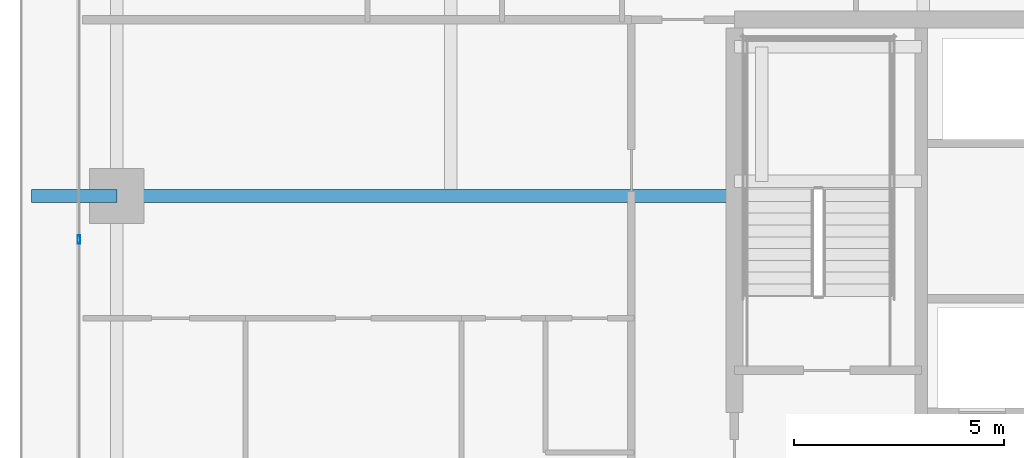
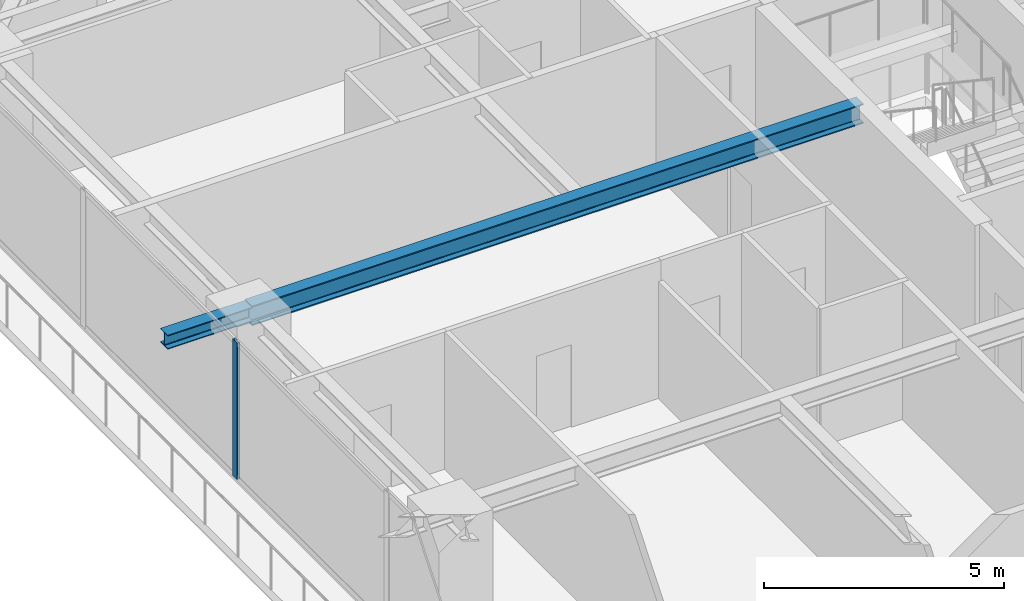
# One storey, part 8 of 36: 2 beams, 1 member, 1 element without a shape of its own.
"""IFC4 building model written with IfcOpenShell, lengths in metres."""

from ifc_helpers import new_model, si_unit, direction, frame, origin, origin_2d, place, context, subcontext, project, spatial, hollow_rectangle, i_section, extrude, source, transform, mapped, material, layer, layer_set, material_profile, profile_set, type_object, element, aggregate, save


model = new_model("IFC4")

# Units and contexts
model_context = context("Model", 3, precision=1e-05, world=origin(), true_north=direction((0.0, 1.0)))
body_context = subcontext(model_context, "Body", "Model", "MODEL_VIEW")
ifc_project = project(units=[si_unit("LENGTHUNIT", "METRE"), si_unit("AREAUNIT", "SQUARE_METRE"), si_unit("VOLUMEUNIT", "CUBIC_METRE"), si_unit("PLANEANGLEUNIT", "RADIAN"), si_unit("MASSUNIT", "GRAM", prefix="KILO")], contexts=[model_context])

# Site, building, storey
site_placement = place(None, origin())
site = spatial("IfcSite", under=ifc_project, at=site_placement, CompositionType="ELEMENT")
building_placement = place(site_placement, origin())
building = spatial("IfcBuilding", under=site, at=building_placement, Name="Serunith Strait Residences", CompositionType="ELEMENT")
storey_placement = place(building_placement, frame((0.0, 0.0, 146.39990234375)))
storey = spatial("IfcBuildingStorey", under=building, at=storey_placement, Name="L36", CompositionType="ELEMENT", Elevation=146.39990234375)

# Beams
ifc_material_1 = material(Name="Steel S355J2", Category="steel")
ifc_material_profile_1 = material_profile(ifc_material_1, i_section(OverallWidth=0.300048828125, OverallDepth=0.5, WebThickness=0.014404296875, FlangeThickness=0.028076171875, FilletRadius=0.027099609375, at=origin_2d()), Name="HEB 500")
ifc_profile_set_1 = profile_set([ifc_material_profile_1], Name="Steel S355J2")
beam_type_1 = type_object("IfcBeamType", Name="BM-HEB500", PredefinedType="BEAM", material=ifc_profile_set_1)
shared_shape_1 = source(origin(), body_context, "Body", "SweptSolid", [
    extrude(i_section(OverallWidth=0.300048828125, OverallDepth=0.5, WebThickness=0.014404296875, FlangeThickness=0.028076171875, FilletRadius=0.027099609375, at=origin_2d()), origin(), (0.0, 0.0, 1.0), 14.699951171875),
])
beam_1_placement = place(storey_placement, frame((23.39990234375, 29.39990234375, 3.237060546875), z_axis=(-1.0, 0.0, 0.0), x_axis=(0.0, -1.0, 0.0)))
element("IfcBeam", 1, at=beam_1_placement, inside=storey, type_object=beam_type_1, Name="L36 Primary Floor Girder TC-W3", PredefinedType="BEAM", context=body_context, shape_type="MappedRepresentation", body=[
    mapped(shared_shape_1, transform((0.0, 0.0, 0.0), scale=1.0)),
])
ifc_material_profile_2 = material_profile(ifc_material_1, i_section(OverallWidth=0.300048828125, OverallDepth=0.360107421875, WebThickness=0.012451171875, FlangeThickness=0.0224609375, FilletRadius=0.027099609375, at=origin_2d()), Name="HEB 360")
ifc_profile_set_2 = profile_set([ifc_material_profile_2], Name="Steel S355J2")
beam_type_2 = type_object("IfcBeamType", Name="BM-HEB360", PredefinedType="BEAM", material=ifc_profile_set_2)
shared_shape_2 = source(origin(), body_context, "Body", "SweptSolid", [
    extrude(i_section(OverallWidth=0.300048828125, OverallDepth=0.360107421875, WebThickness=0.012451171875, FlangeThickness=0.0224609375, FilletRadius=0.027099609375, at=origin_2d()), origin(), (0.0, 0.0, 1.0), 2.030029296875),
])
beam_2_placement = place(storey_placement, frame((8.699951171875, 29.39990234375, 3.277099609375), z_axis=(-1.0, 0.0, 0.0), x_axis=(0.0, -1.0, 0.0)))
element("IfcBeam", 2, at=beam_2_placement, inside=storey, type_object=beam_type_2, Name="L37 Cantilevered Balcony Rib TC-W3", PredefinedType="BEAM", context=body_context, shape_type="MappedRepresentation", body=[
    mapped(shared_shape_2, transform((0.0, 0.0, 0.0), scale=1.0)),
])

# Curtain wall, member
ifc_material_2 = material(Name="Pale-Champagne Anodised Aluminium", Category="aluminium")
ifc_layer = layer(ifc_material_2, 0.199951171875, Name="Pale-Champagne Anodised Aluminium")
ifc_layer_set = layer_set([ifc_layer], Name="Pale-Champagne Anodised Aluminium")
curtain_wall_type = type_object("IfcCurtainWallType", Name="CW-SYS2", PredefinedType="NOTDEFINED", material=ifc_layer_set)
curtain_wall_placement = place(storey_placement, origin())
curtain_wall = element("IfcCurtainWall", 3, at=curtain_wall_placement, inside=storey, type_object=curtain_wall_type, Name="L36 W Unitised Fritted Curtain Wall", PredefinedType="NOTDEFINED")
ifc_material_profile_3 = material_profile(ifc_material_2, hollow_rectangle(XDim=0.070068359375, YDim=0.199951171875, WallThickness=0.00390625, InnerFilletRadius=0.006103515625, OuterFilletRadius=0.010009765625, at=origin_2d()), Name="ALU 200x70x4")
ifc_profile_set_3 = profile_set([ifc_material_profile_3], Name="Pale-Champagne Anodised Aluminium")
member_type = type_object("IfcMemberType", Name="CW-SYS2-MULL", PredefinedType="MULLION", material=ifc_profile_set_3)
shared_shape_3 = source(origin(), body_context, "Body", "SweptSolid", [
    extrude(hollow_rectangle(XDim=0.070068359375, YDim=0.199951171875, WallThickness=0.00390625, InnerFilletRadius=0.006103515625, OuterFilletRadius=0.010009765625, at=origin_2d()), origin(), (0.0, 0.0, 1.0), 3.47509765625),
])
member_placement = place(storey_placement, frame((7.800048828125, 28.360107421875, 0.0), z_axis=(0.0, 0.0, 1.0), x_axis=(1.0, 0.0, 0.0)))
member = element("IfcMember", 4, at=member_placement, type_object=member_type, Name="CW-2 mullion 3", PredefinedType="MULLION", context=body_context, shape_type="MappedRepresentation", body=[
    mapped(shared_shape_3, transform((0.0, 0.0, 0.0), scale=1.0)),
])
aggregate(curtain_wall, [member])

save(model, "model.ifc")
